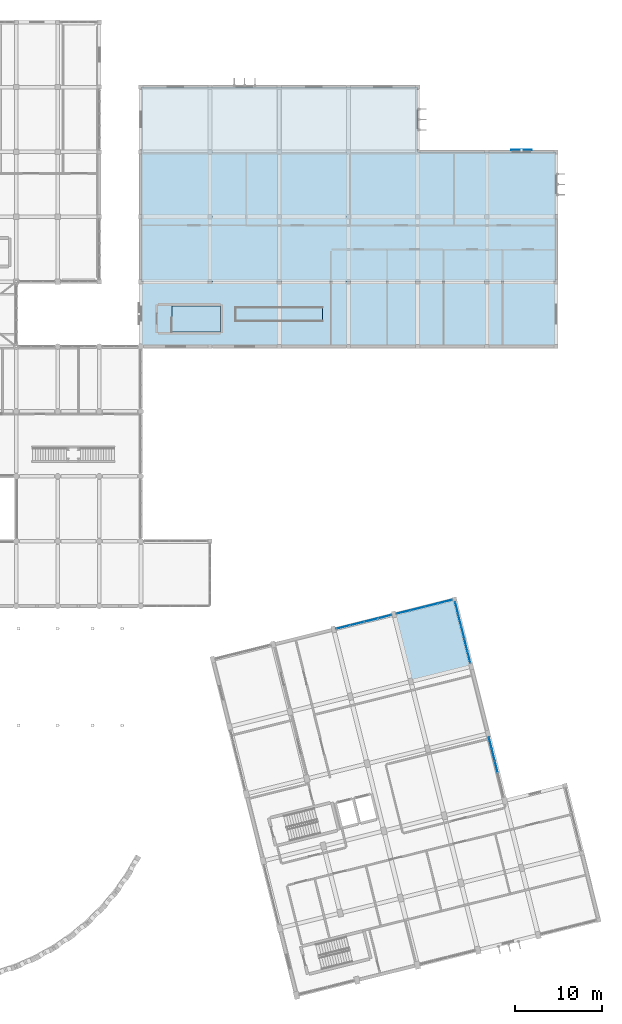
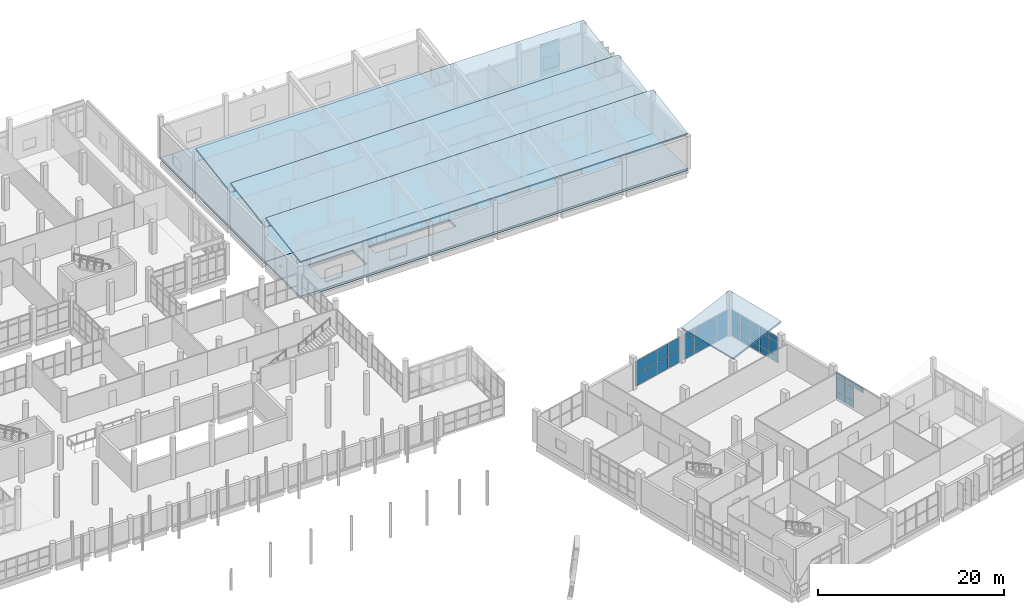
# One storey, part 137 of 164: 43 plates, 6 slabs, 4 elements without a shape of their own.
"""IFC4 building model written with IfcOpenShell, lengths in metres."""

from ifc_helpers import new_model, si_unit, direction, frame, origin, origin_2d, place, context, subcontext, project, spatial, polyline, rectangle, outline, extrude, material, layer, layer_set, type_object, element, aggregate, save


model = new_model("IFC4")

# Units and contexts
model_context = context("Model", 3, precision=1e-05, world=origin(), true_north=direction((0.0, 1.0)))
body_context = subcontext(model_context, "Body", "Model", "MODEL_VIEW")
ifc_project = project(units=[si_unit("LENGTHUNIT", "METRE"), si_unit("AREAUNIT", "SQUARE_METRE"), si_unit("VOLUMEUNIT", "CUBIC_METRE"), si_unit("PLANEANGLEUNIT", "RADIAN"), si_unit("MASSUNIT", "GRAM", prefix="KILO")], contexts=[model_context])

# Site, building, storey
site_placement = place(None, origin())
site = spatial("IfcSite", under=ifc_project, at=site_placement, CompositionType="ELEMENT")
building_placement = place(site_placement, origin())
building = spatial("IfcBuilding", under=site, at=building_placement, Name="Mawjan Specialist Oncology Clinic", CompositionType="ELEMENT")
storey_placement = place(building_placement, frame((0.0, 0.0, 5.0)))
storey = spatial("IfcBuildingStorey", under=building, at=storey_placement, Name="L01", CompositionType="ELEMENT", Elevation=5.0)

# Curtain wall, plates
ifc_material_1 = material(Name="Unitised spectrally selective aluminium curtain wall", Category="aluminium")
ifc_layer_1 = layer(ifc_material_1, 0.179931640625, Name="Unitised spectrally selective aluminium curtain wall", Category="aluminium")
ifc_layer_set_1 = layer_set([ifc_layer_1], Name="Unitised spectrally selective aluminium curtain wall")
curtain_wall_type_1 = type_object("IfcCurtainWallType", Name="CW-48", PredefinedType="NOTDEFINED", material=ifc_layer_set_1)
curtain_wall_1_placement = place(storey_placement, origin())
curtain_wall_1 = element("IfcCurtainWall", 1, at=curtain_wall_1_placement, inside=storey, type_object=curtain_wall_type_1, Name="L01 Unitised Curtain Wall CW-L01-093", PredefinedType="NOTDEFINED")
ifc_material_2 = material(Name="Spectrally selective double low-E glazing", Category="glass")
ifc_layer_2 = layer(ifc_material_2, 0.031982421875, Name="Spectrally selective double low-E glazing", Category="glass")
ifc_layer_set_2 = layer_set([ifc_layer_2], Name="Spectrally selective double low-E glazing")
plate_type_1 = type_object("IfcPlateType", Name="CW-P32", PredefinedType="CURTAIN_PANEL", material=ifc_layer_set_2)
plate_1_placement = place(storey_placement, frame((131.380859375, 43.3662109375, 0.06494140625), z_axis=(0.0, 0.0, 1.0), x_axis=(0.970295688921, 0.241922045422, 0.0)))
plate_1 = element("IfcPlate", 2, at=plate_1_placement, type_object=plate_type_1, Name="CW-48 panel 1.1", PredefinedType="CURTAIN_PANEL", context=body_context, shape_type="SweptSolid", body=[
    extrude(rectangle(XDim=1.5673828125, YDim=0.031982421875, at=origin_2d()), origin(), (0.0, 0.0, 1.0), 1.594970703125),
])
plate_2_placement = place(storey_placement, frame((131.380859375, 43.3662109375, 1.72509765625), z_axis=(0.0, 0.0, 1.0), x_axis=(0.970295688921, 0.241922045422, 0.0)))
plate_2 = element("IfcPlate", 3, at=plate_2_placement, type_object=plate_type_1, Name="CW-48 panel 1.2", PredefinedType="CURTAIN_PANEL", context=body_context, shape_type="SweptSolid", body=[
    extrude(rectangle(XDim=1.5673828125, YDim=0.031982421875, at=origin_2d()), origin(), (0.0, 0.0, 1.0), 1.594970703125),
])
plate_3_placement = place(storey_placement, frame((132.980712890625, 43.76513671875, 0.06494140625), z_axis=(0.0, 0.0, 1.0), x_axis=(0.970295688921, 0.241922045422, 0.0)))
plate_3 = element("IfcPlate", 4, at=plate_3_placement, type_object=plate_type_1, Name="CW-48 panel 2.1", PredefinedType="CURTAIN_PANEL", context=body_context, shape_type="SweptSolid", body=[
    extrude(rectangle(XDim=1.60009765625, YDim=0.031982421875, at=origin_2d()), origin(), (0.0, 0.0, 1.0), 1.594970703125),
])
plate_4_placement = place(storey_placement, frame((132.980712890625, 43.76513671875, 1.72509765625), z_axis=(0.0, 0.0, 1.0), x_axis=(0.970295688921, 0.241922045422, 0.0)))
plate_4 = element("IfcPlate", 5, at=plate_4_placement, type_object=plate_type_1, Name="CW-48 panel 2.2", PredefinedType="CURTAIN_PANEL", context=body_context, shape_type="SweptSolid", body=[
    extrude(rectangle(XDim=1.60009765625, YDim=0.031982421875, at=origin_2d()), origin(), (0.0, 0.0, 1.0), 1.594970703125),
])
plate_5_placement = place(storey_placement, frame((134.59619140625, 44.167724609375, 0.06494140625), z_axis=(0.0, 0.0, 1.0), x_axis=(0.970295688921, 0.241922045422, 0.0)))
plate_5 = element("IfcPlate", 6, at=plate_5_placement, type_object=plate_type_1, Name="CW-48 panel 3.1", PredefinedType="CURTAIN_PANEL", context=body_context, shape_type="SweptSolid", body=[
    extrude(rectangle(XDim=1.60009765625, YDim=0.031982421875, at=origin_2d()), origin(), (0.0, 0.0, 1.0), 1.594970703125),
])
plate_6_placement = place(storey_placement, frame((134.59619140625, 44.167724609375, 1.72509765625), z_axis=(0.0, 0.0, 1.0), x_axis=(0.970295688921, 0.241922045422, 0.0)))
plate_6 = element("IfcPlate", 7, at=plate_6_placement, type_object=plate_type_1, Name="CW-48 panel 3.2", PredefinedType="CURTAIN_PANEL", context=body_context, shape_type="SweptSolid", body=[
    extrude(rectangle(XDim=1.60009765625, YDim=0.031982421875, at=origin_2d()), origin(), (0.0, 0.0, 1.0), 1.594970703125),
])
plate_7_placement = place(storey_placement, frame((136.196044921875, 44.566650390625, 0.06494140625), z_axis=(0.0, 0.0, 1.0), x_axis=(0.970295688921, 0.241922045422, 0.0)))
plate_7 = element("IfcPlate", 8, at=plate_7_placement, type_object=plate_type_1, Name="CW-48 panel 4.1", PredefinedType="CURTAIN_PANEL", context=body_context, shape_type="SweptSolid", body=[
    extrude(rectangle(XDim=1.5673828125, YDim=0.031982421875, at=origin_2d()), origin(), (0.0, 0.0, 1.0), 1.594970703125),
])
plate_8_placement = place(storey_placement, frame((136.196044921875, 44.566650390625, 1.72509765625), z_axis=(0.0, 0.0, 1.0), x_axis=(0.970295688921, 0.241922045422, 0.0)))
plate_8 = element("IfcPlate", 9, at=plate_8_placement, type_object=plate_type_1, Name="CW-48 panel 4.2", PredefinedType="CURTAIN_PANEL", context=body_context, shape_type="SweptSolid", body=[
    extrude(rectangle(XDim=1.5673828125, YDim=0.031982421875, at=origin_2d()), origin(), (0.0, 0.0, 1.0), 1.594970703125),
])
aggregate(curtain_wall_1, [plate_1, plate_2, plate_3, plate_4, plate_5, plate_6, plate_7, plate_8])

ifc_material_3 = material(Name="Unitised spectrally selective aluminium curtain wall", Category="aluminium")
ifc_layer_3 = layer(ifc_material_3, 0.179931640625, Name="Unitised spectrally selective aluminium curtain wall", Category="aluminium")
ifc_layer_set_3 = layer_set([ifc_layer_3], Name="Unitised spectrally selective aluminium curtain wall")
curtain_wall_type_2 = type_object("IfcCurtainWallType", Name="CW-49", PredefinedType="NOTDEFINED", material=ifc_layer_set_3)
curtain_wall_2_placement = place(storey_placement, origin())
curtain_wall_2 = element("IfcCurtainWall", 10, at=curtain_wall_2_placement, inside=storey, type_object=curtain_wall_type_2, Name="L01 Unitised Curtain Wall CW-L01-094", PredefinedType="NOTDEFINED")
plate_9_placement = place(storey_placement, frame((138.366943359375, 45.10791015625, 0.06494140625), z_axis=(0.0, 0.0, 1.0), x_axis=(0.970295715378, 0.241921939309, 0.0)))
plate_9 = element("IfcPlate", 11, at=plate_9_placement, type_object=plate_type_1, Name="CW-49 panel 1.1", PredefinedType="CURTAIN_PANEL", context=body_context, shape_type="SweptSolid", body=[
    extrude(rectangle(XDim=1.5673828125, YDim=0.031982421875, at=origin_2d()), origin(), (0.0, 0.0, 1.0), 0.802490234375),
])
plate_10_placement = place(storey_placement, frame((138.366943359375, 45.10791015625, 0.932373046875), z_axis=(0.0, 0.0, 1.0), x_axis=(0.970295715378, 0.241921939309, 0.0)))
plate_10 = element("IfcPlate", 12, at=plate_10_placement, type_object=plate_type_1, Name="CW-49 panel 1.2", PredefinedType="CURTAIN_PANEL", context=body_context, shape_type="SweptSolid", body=[
    extrude(rectangle(XDim=1.5673828125, YDim=0.031982421875, at=origin_2d()), origin(), (0.0, 0.0, 1.0), 1.77001953125),
])
plate_11_placement = place(storey_placement, frame((138.366943359375, 45.10791015625, 2.767578125), z_axis=(0.0, 0.0, 1.0), x_axis=(0.970295715378, 0.241921939309, 0.0)))
plate_11 = element("IfcPlate", 13, at=plate_11_placement, type_object=plate_type_1, Name="CW-49 panel 1.3", PredefinedType="CURTAIN_PANEL", context=body_context, shape_type="SweptSolid", body=[
    extrude(rectangle(XDim=1.5673828125, YDim=0.031982421875, at=origin_2d()), origin(), (0.0, 0.0, 1.0), 0.652587890625),
])
plate_12_placement = place(storey_placement, frame((139.966796875, 45.5068359375, 0.06494140625), z_axis=(0.0, 0.0, 1.0), x_axis=(0.970295715378, 0.241921939309, 0.0)))
plate_12 = element("IfcPlate", 14, at=plate_12_placement, type_object=plate_type_1, Name="CW-49 panel 2.1", PredefinedType="CURTAIN_PANEL", context=body_context, shape_type="SweptSolid", body=[
    extrude(rectangle(XDim=1.60009765625, YDim=0.031982421875, at=origin_2d()), origin(), (0.0, 0.0, 1.0), 0.802490234375),
])
plate_13_placement = place(storey_placement, frame((139.966796875, 45.5068359375, 0.932373046875), z_axis=(0.0, 0.0, 1.0), x_axis=(0.970295715378, 0.241921939309, 0.0)))
plate_13 = element("IfcPlate", 15, at=plate_13_placement, type_object=plate_type_1, Name="CW-49 panel 2.2", PredefinedType="CURTAIN_PANEL", context=body_context, shape_type="SweptSolid", body=[
    extrude(rectangle(XDim=1.60009765625, YDim=0.031982421875, at=origin_2d()), origin(), (0.0, 0.0, 1.0), 1.77001953125),
])
plate_14_placement = place(storey_placement, frame((139.966796875, 45.5068359375, 2.767578125), z_axis=(0.0, 0.0, 1.0), x_axis=(0.970295715378, 0.241921939309, 0.0)))
plate_14 = element("IfcPlate", 16, at=plate_14_placement, type_object=plate_type_1, Name="CW-49 panel 2.3", PredefinedType="CURTAIN_PANEL", context=body_context, shape_type="SweptSolid", body=[
    extrude(rectangle(XDim=1.60009765625, YDim=0.031982421875, at=origin_2d()), origin(), (0.0, 0.0, 1.0), 0.652587890625),
])
plate_15_placement = place(storey_placement, frame((141.582275390625, 45.90966796875, 0.06494140625), z_axis=(0.0, 0.0, 1.0), x_axis=(0.970295715378, 0.241921939309, 0.0)))
plate_15 = element("IfcPlate", 17, at=plate_15_placement, type_object=plate_type_1, Name="CW-49 panel 3.1", PredefinedType="CURTAIN_PANEL", context=body_context, shape_type="SweptSolid", body=[
    extrude(rectangle(XDim=1.60009765625, YDim=0.031982421875, at=origin_2d()), origin(), (0.0, 0.0, 1.0), 0.802490234375),
])
plate_16_placement = place(storey_placement, frame((141.582275390625, 45.90966796875, 0.932373046875), z_axis=(0.0, 0.0, 1.0), x_axis=(0.970295715378, 0.241921939309, 0.0)))
plate_16 = element("IfcPlate", 18, at=plate_16_placement, type_object=plate_type_1, Name="CW-49 panel 3.2", PredefinedType="CURTAIN_PANEL", context=body_context, shape_type="SweptSolid", body=[
    extrude(rectangle(XDim=1.60009765625, YDim=0.031982421875, at=origin_2d()), origin(), (0.0, 0.0, 1.0), 1.77001953125),
])
plate_17_placement = place(storey_placement, frame((141.582275390625, 45.90966796875, 2.767578125), z_axis=(0.0, 0.0, 1.0), x_axis=(0.970295715378, 0.241921939309, 0.0)))
plate_17 = element("IfcPlate", 19, at=plate_17_placement, type_object=plate_type_1, Name="CW-49 panel 3.3", PredefinedType="CURTAIN_PANEL", context=body_context, shape_type="SweptSolid", body=[
    extrude(rectangle(XDim=1.60009765625, YDim=0.031982421875, at=origin_2d()), origin(), (0.0, 0.0, 1.0), 0.652587890625),
])
plate_18_placement = place(storey_placement, frame((143.18212890625, 46.30859375, 0.06494140625), z_axis=(0.0, 0.0, 1.0), x_axis=(0.970295715378, 0.241921939309, 0.0)))
plate_18 = element("IfcPlate", 20, at=plate_18_placement, type_object=plate_type_1, Name="CW-49 panel 4.1", PredefinedType="CURTAIN_PANEL", context=body_context, shape_type="SweptSolid", body=[
    extrude(rectangle(XDim=1.5673828125, YDim=0.031982421875, at=origin_2d()), origin(), (0.0, 0.0, 1.0), 0.802490234375),
])
plate_19_placement = place(storey_placement, frame((143.18212890625, 46.30859375, 0.932373046875), z_axis=(0.0, 0.0, 1.0), x_axis=(0.970295715378, 0.241921939309, 0.0)))
plate_19 = element("IfcPlate", 21, at=plate_19_placement, type_object=plate_type_1, Name="CW-49 panel 4.2", PredefinedType="CURTAIN_PANEL", context=body_context, shape_type="SweptSolid", body=[
    extrude(rectangle(XDim=1.5673828125, YDim=0.031982421875, at=origin_2d()), origin(), (0.0, 0.0, 1.0), 1.77001953125),
])
plate_20_placement = place(storey_placement, frame((143.18212890625, 46.30859375, 2.767578125), z_axis=(0.0, 0.0, 1.0), x_axis=(0.970295715378, 0.241921939309, 0.0)))
plate_20 = element("IfcPlate", 22, at=plate_20_placement, type_object=plate_type_1, Name="CW-49 panel 4.3", PredefinedType="CURTAIN_PANEL", context=body_context, shape_type="SweptSolid", body=[
    extrude(rectangle(XDim=1.5673828125, YDim=0.031982421875, at=origin_2d()), origin(), (0.0, 0.0, 1.0), 0.652587890625),
])
aggregate(curtain_wall_2, [plate_9, plate_10, plate_11, plate_12, plate_13, plate_14, plate_15, plate_16, plate_17, plate_18, plate_19, plate_20])

ifc_material_4 = material(Name="Unitised spectrally selective aluminium curtain wall", Category="aluminium")
ifc_layer_4 = layer(ifc_material_4, 0.179931640625, Name="Unitised spectrally selective aluminium curtain wall", Category="aluminium")
ifc_layer_set_4 = layer_set([ifc_layer_4], Name="Unitised spectrally selective aluminium curtain wall")
curtain_wall_type_3 = type_object("IfcCurtainWallType", Name="CW-50", PredefinedType="NOTDEFINED", material=ifc_layer_set_4)
curtain_wall_3_placement = place(storey_placement, origin())
curtain_wall_3 = element("IfcCurtainWall", 23, at=curtain_wall_3_placement, inside=storey, type_object=curtain_wall_type_3, Name="L01 Unitised Curtain Wall CW-L01-095", PredefinedType="NOTDEFINED")
plate_21_placement = place(storey_placement, frame((144.514404296875, 45.589599609375, 0.06494140625), z_axis=(0.0, 0.0, 1.0), x_axis=(0.241922143797, -0.970295664393, 0.0)))
plate_21 = element("IfcPlate", 24, at=plate_21_placement, type_object=plate_type_1, Name="CW-50 panel 1.1", PredefinedType="CURTAIN_PANEL", context=body_context, shape_type="SweptSolid", body=[
    extrude(rectangle(XDim=1.369384765625, YDim=0.031982421875, at=origin_2d()), origin(), (0.0, 0.0, 1.0), 0.802490234375),
])
plate_22_placement = place(storey_placement, frame((144.514404296875, 45.589599609375, 0.9326171875), z_axis=(0.0, 0.0, 1.0), x_axis=(0.241922143797, -0.970295664393, 0.0)))
plate_22 = element("IfcPlate", 25, at=plate_22_placement, type_object=plate_type_1, Name="CW-50 panel 1.2", PredefinedType="CURTAIN_PANEL", context=body_context, shape_type="SweptSolid", body=[
    extrude(rectangle(XDim=1.369384765625, YDim=0.031982421875, at=origin_2d()), origin(), (0.0, 0.0, 1.0), 1.820068359375),
])
plate_23_placement = place(storey_placement, frame((144.514404296875, 45.589599609375, 2.8173828125), z_axis=(0.0, 0.0, 1.0), x_axis=(0.241922143797, -0.970295664393, 0.0)))
plate_23 = element("IfcPlate", 26, at=plate_23_placement, type_object=plate_type_1, Name="CW-50 panel 1.3", PredefinedType="CURTAIN_PANEL", context=body_context, shape_type="SweptSolid", body=[
    extrude(rectangle(XDim=1.369384765625, YDim=0.031982421875, at=origin_2d()), origin(), (0.0, 0.0, 1.0), 0.652587890625),
])
plate_24_placement = place(storey_placement, frame((144.865234375, 44.18212890625, 0.06494140625), z_axis=(0.0, 0.0, 1.0), x_axis=(0.241922143797, -0.970295664393, 0.0)))
plate_24 = element("IfcPlate", 27, at=plate_24_placement, type_object=plate_type_1, Name="CW-50 panel 2.1", PredefinedType="CURTAIN_PANEL", context=body_context, shape_type="SweptSolid", body=[
    extrude(rectangle(XDim=1.402099609375, YDim=0.031982421875, at=origin_2d()), origin(), (0.0, 0.0, 1.0), 0.802490234375),
])
plate_25_placement = place(storey_placement, frame((144.865234375, 44.18212890625, 0.9326171875), z_axis=(0.0, 0.0, 1.0), x_axis=(0.241922143797, -0.970295664393, 0.0)))
plate_25 = element("IfcPlate", 28, at=plate_25_placement, type_object=plate_type_1, Name="CW-50 panel 2.2", PredefinedType="CURTAIN_PANEL", context=body_context, shape_type="SweptSolid", body=[
    extrude(rectangle(XDim=1.402099609375, YDim=0.031982421875, at=origin_2d()), origin(), (0.0, 0.0, 1.0), 1.820068359375),
])
plate_26_placement = place(storey_placement, frame((144.865234375, 44.18212890625, 2.8173828125), z_axis=(0.0, 0.0, 1.0), x_axis=(0.241922143797, -0.970295664393, 0.0)))
plate_26 = element("IfcPlate", 29, at=plate_26_placement, type_object=plate_type_1, Name="CW-50 panel 2.3", PredefinedType="CURTAIN_PANEL", context=body_context, shape_type="SweptSolid", body=[
    extrude(rectangle(XDim=1.402099609375, YDim=0.031982421875, at=origin_2d()), origin(), (0.0, 0.0, 1.0), 0.652587890625),
])
plate_27_placement = place(storey_placement, frame((145.22021484375, 42.758544921875, 0.06494140625), z_axis=(0.0, 0.0, 1.0), x_axis=(0.241922143797, -0.970295664393, 0.0)))
plate_27 = element("IfcPlate", 30, at=plate_27_placement, type_object=plate_type_1, Name="CW-50 panel 3.1", PredefinedType="CURTAIN_PANEL", context=body_context, shape_type="SweptSolid", body=[
    extrude(rectangle(XDim=1.402099609375, YDim=0.031982421875, at=origin_2d()), origin(), (0.0, 0.0, 1.0), 0.802490234375),
])
plate_28_placement = place(storey_placement, frame((145.22021484375, 42.758544921875, 0.9326171875), z_axis=(0.0, 0.0, 1.0), x_axis=(0.241922143797, -0.970295664393, 0.0)))
plate_28 = element("IfcPlate", 31, at=plate_28_placement, type_object=plate_type_1, Name="CW-50 panel 3.2", PredefinedType="CURTAIN_PANEL", context=body_context, shape_type="SweptSolid", body=[
    extrude(rectangle(XDim=1.402099609375, YDim=0.031982421875, at=origin_2d()), origin(), (0.0, 0.0, 1.0), 1.820068359375),
])
plate_29_placement = place(storey_placement, frame((145.22021484375, 42.758544921875, 2.8173828125), z_axis=(0.0, 0.0, 1.0), x_axis=(0.241922143797, -0.970295664393, 0.0)))
plate_29 = element("IfcPlate", 32, at=plate_29_placement, type_object=plate_type_1, Name="CW-50 panel 3.3", PredefinedType="CURTAIN_PANEL", context=body_context, shape_type="SweptSolid", body=[
    extrude(rectangle(XDim=1.402099609375, YDim=0.031982421875, at=origin_2d()), origin(), (0.0, 0.0, 1.0), 0.652587890625),
])
plate_30_placement = place(storey_placement, frame((145.5751953125, 41.335205078125, 0.06494140625), z_axis=(0.0, 0.0, 1.0), x_axis=(0.241922143797, -0.970295664393, 0.0)))
plate_30 = element("IfcPlate", 33, at=plate_30_placement, type_object=plate_type_1, Name="CW-50 panel 4.1", PredefinedType="CURTAIN_PANEL", context=body_context, shape_type="SweptSolid", body=[
    extrude(rectangle(XDim=1.402099609375, YDim=0.031982421875, at=origin_2d()), origin(), (0.0, 0.0, 1.0), 0.802490234375),
])
plate_31_placement = place(storey_placement, frame((145.5751953125, 41.335205078125, 0.9326171875), z_axis=(0.0, 0.0, 1.0), x_axis=(0.241922143797, -0.970295664393, 0.0)))
plate_31 = element("IfcPlate", 34, at=plate_31_placement, type_object=plate_type_1, Name="CW-50 panel 4.2", PredefinedType="CURTAIN_PANEL", context=body_context, shape_type="SweptSolid", body=[
    extrude(rectangle(XDim=1.402099609375, YDim=0.031982421875, at=origin_2d()), origin(), (0.0, 0.0, 1.0), 1.820068359375),
])
plate_32_placement = place(storey_placement, frame((145.5751953125, 41.335205078125, 2.8173828125), z_axis=(0.0, 0.0, 1.0), x_axis=(0.241922143797, -0.970295664393, 0.0)))
plate_32 = element("IfcPlate", 35, at=plate_32_placement, type_object=plate_type_1, Name="CW-50 panel 4.3", PredefinedType="CURTAIN_PANEL", context=body_context, shape_type="SweptSolid", body=[
    extrude(rectangle(XDim=1.402099609375, YDim=0.031982421875, at=origin_2d()), origin(), (0.0, 0.0, 1.0), 0.652587890625),
])
plate_33_placement = place(storey_placement, frame((145.926025390625, 39.927490234375, 0.06494140625), z_axis=(0.0, 0.0, 1.0), x_axis=(0.241922143797, -0.970295664393, 0.0)))
plate_33 = element("IfcPlate", 36, at=plate_33_placement, type_object=plate_type_1, Name="CW-50 panel 5.1", PredefinedType="CURTAIN_PANEL", context=body_context, shape_type="SweptSolid", body=[
    extrude(rectangle(XDim=1.369384765625, YDim=0.031982421875, at=origin_2d()), origin(), (0.0, 0.0, 1.0), 0.802490234375),
])
plate_34_placement = place(storey_placement, frame((145.926025390625, 39.927490234375, 0.9326171875), z_axis=(0.0, 0.0, 1.0), x_axis=(0.241922143797, -0.970295664393, 0.0)))
plate_34 = element("IfcPlate", 37, at=plate_34_placement, type_object=plate_type_1, Name="CW-50 panel 5.2", PredefinedType="CURTAIN_PANEL", context=body_context, shape_type="SweptSolid", body=[
    extrude(rectangle(XDim=1.369384765625, YDim=0.031982421875, at=origin_2d()), origin(), (0.0, 0.0, 1.0), 1.820068359375),
])
plate_35_placement = place(storey_placement, frame((145.926025390625, 39.927490234375, 2.8173828125), z_axis=(0.0, 0.0, 1.0), x_axis=(0.241922143797, -0.970295664393, 0.0)))
plate_35 = element("IfcPlate", 38, at=plate_35_placement, type_object=plate_type_1, Name="CW-50 panel 5.3", PredefinedType="CURTAIN_PANEL", context=body_context, shape_type="SweptSolid", body=[
    extrude(rectangle(XDim=1.369384765625, YDim=0.031982421875, at=origin_2d()), origin(), (0.0, 0.0, 1.0), 0.652587890625),
])
aggregate(curtain_wall_3, [plate_21, plate_22, plate_23, plate_24, plate_25, plate_26, plate_27, plate_28, plate_29, plate_30, plate_31, plate_32, plate_33, plate_34, plate_35])

ifc_material_5 = material(Name="Unitised spectrally selective aluminium curtain wall", Category="aluminium")
ifc_layer_5 = layer(ifc_material_5, 0.179931640625, Name="Unitised spectrally selective aluminium curtain wall", Category="aluminium")
ifc_layer_set_5 = layer_set([ifc_layer_5], Name="Unitised spectrally selective aluminium curtain wall")
curtain_wall_type_4 = type_object("IfcCurtainWallType", Name="CW-51", PredefinedType="NOTDEFINED", material=ifc_layer_set_5)
curtain_wall_4_placement = place(storey_placement, origin())
curtain_wall_4 = element("IfcCurtainWall", 39, at=curtain_wall_4_placement, inside=storey, type_object=curtain_wall_type_4, Name="L01 Unitised Curtain Wall CW-L01-096", PredefinedType="NOTDEFINED")
plate_36_placement = place(storey_placement, frame((148.4111328125, 29.960693359375, 0.06494140625), z_axis=(0.0, 0.0, 1.0), x_axis=(0.241922037344, -0.970295690935, 0.0)))
plate_36 = element("IfcPlate", 40, at=plate_36_placement, type_object=plate_type_1, Name="CW-51 panel 1.1", PredefinedType="CURTAIN_PANEL", context=body_context, shape_type="SweptSolid", body=[
    extrude(rectangle(XDim=1.33447265625, YDim=0.031982421875, at=origin_2d()), origin(), (0.0, 0.0, 1.0), 0.802490234375),
])
plate_37_placement = place(storey_placement, frame((148.4111328125, 29.960693359375, 0.932373046875), z_axis=(0.0, 0.0, 1.0), x_axis=(0.241922037344, -0.970295690935, 0.0)))
plate_37 = element("IfcPlate", 41, at=plate_37_placement, type_object=plate_type_1, Name="CW-51 panel 1.2", PredefinedType="CURTAIN_PANEL", context=body_context, shape_type="SweptSolid", body=[
    extrude(rectangle(XDim=1.33447265625, YDim=0.031982421875, at=origin_2d()), origin(), (0.0, 0.0, 1.0), 1.77001953125),
])
plate_38_placement = place(storey_placement, frame((148.4111328125, 29.960693359375, 2.767578125), z_axis=(0.0, 0.0, 1.0), x_axis=(0.241922037344, -0.970295690935, 0.0)))
plate_38 = element("IfcPlate", 42, at=plate_38_placement, type_object=plate_type_1, Name="CW-51 panel 1.3", PredefinedType="CURTAIN_PANEL", context=body_context, shape_type="SweptSolid", body=[
    extrude(rectangle(XDim=1.33447265625, YDim=0.031982421875, at=origin_2d()), origin(), (0.0, 0.0, 1.0), 0.652587890625),
])
plate_39_placement = place(storey_placement, frame((148.753662109375, 28.5869140625, 0.06494140625), z_axis=(0.0, 0.0, 1.0), x_axis=(0.241922037344, -0.970295690935, 0.0)))
plate_39 = element("IfcPlate", 43, at=plate_39_placement, type_object=plate_type_1, Name="CW-51 panel 2.1", PredefinedType="CURTAIN_PANEL", context=body_context, shape_type="SweptSolid", body=[
    extrude(rectangle(XDim=1.366943359375, YDim=0.031982421875, at=origin_2d()), origin(), (0.0, 0.0, 1.0), 0.802490234375),
])
plate_40_placement = place(storey_placement, frame((148.753662109375, 28.5869140625, 0.932373046875), z_axis=(0.0, 0.0, 1.0), x_axis=(0.241922037344, -0.970295690935, 0.0)))
plate_40 = element("IfcPlate", 44, at=plate_40_placement, type_object=plate_type_1, Name="CW-51 panel 2.2", PredefinedType="CURTAIN_PANEL", context=body_context, shape_type="SweptSolid", body=[
    extrude(rectangle(XDim=1.366943359375, YDim=0.031982421875, at=origin_2d()), origin(), (0.0, 0.0, 1.0), 1.77001953125),
])
plate_41_placement = place(storey_placement, frame((148.753662109375, 28.5869140625, 2.767578125), z_axis=(0.0, 0.0, 1.0), x_axis=(0.241922037344, -0.970295690935, 0.0)))
plate_41 = element("IfcPlate", 45, at=plate_41_placement, type_object=plate_type_1, Name="CW-51 panel 2.3", PredefinedType="CURTAIN_PANEL", context=body_context, shape_type="SweptSolid", body=[
    extrude(rectangle(XDim=1.366943359375, YDim=0.031982421875, at=origin_2d()), origin(), (0.0, 0.0, 1.0), 0.652587890625),
])
plate_42_placement = place(storey_placement, frame((149.10009765625, 27.197509765625, 2.767578125), z_axis=(0.0, 0.0, 1.0), x_axis=(0.241922037344, -0.970295690935, 0.0)))
plate_42 = element("IfcPlate", 46, at=plate_42_placement, type_object=plate_type_1, Name="CW-51 panel 3.3", PredefinedType="CURTAIN_PANEL", context=body_context, shape_type="SweptSolid", body=[
    extrude(rectangle(XDim=1.366943359375, YDim=0.031982421875, at=origin_2d()), origin(), (0.0, 0.0, 1.0), 0.652587890625),
])
aggregate(curtain_wall_4, [plate_36, plate_37, plate_38, plate_39, plate_40, plate_41, plate_42])

# Slabs
ifc_material_6 = material(Name="Concrete C35/45", Category="concrete")
ifc_layer_6 = layer(ifc_material_6, 0.300048828125, Name="Concrete C35/45", Category="concrete")
ifc_layer_set_6 = layer_set([ifc_layer_6], Name="Concrete C35/45")
slab_type_1 = type_object("IfcSlabType", Name="FS-300", PredefinedType="FLOOR", material=ifc_layer_set_6)
slab_1_placement = place(storey_placement, frame((0.0, 0.0, -0.300048828125)))
element("IfcSlab", 47, at=slab_1_placement, inside=storey, type_object=slab_type_1, Name="L01 Diagnostic Imaging Pavilion Slab SLB-V2S-L01", PredefinedType="FLOOR", context=body_context, shape_type="SweptSolid", body=[
    extrude(outline(polyline([(108.0, 75.800048828125), (156.0, 75.800048828125), (156.0, 83.300048828125), (108.0, 83.300048828125), (108.0, 75.800048828125)]), holes=[polyline([(111.60009765625, 77.5), (117.199951171875, 77.5), (117.199951171875, 80.5), (111.60009765625, 80.5), (111.60009765625, 77.5)]), polyline([(119.0, 78.824951171875), (129.0, 78.824951171875), (129.0, 80.27490234375), (119.0, 80.27490234375), (119.0, 78.824951171875)])]), origin(), (0.0, 0.0, 1.0), 0.300048828125),
])
slab_2_placement = place(storey_placement, frame((0.0, 0.0, -0.300048828125)))
element("IfcSlab", 48, at=slab_2_placement, inside=storey, type_object=slab_type_1, Name="L01 Diagnostic Imaging Pavilion Slab SLB-V2-L01", PredefinedType="FLOOR", context=body_context, shape_type="SweptSolid", body=[
    extrude(outline(polyline([(108.0, 83.300048828125), (156.0, 83.300048828125), (156.0, 98.300048828125), (140.0, 98.300048828125), (140.0, 105.800048828125), (108.0, 105.800048828125), (108.0, 83.300048828125)])), origin(), (0.0, 0.0, 1.0), 0.300048828125),
])
ifc_material_7 = material(Name="Precast concrete C45/55", Category="concrete")
ifc_layer_7 = layer(ifc_material_7, 0.18994140625, Name="Precast concrete C45/55", Category="concrete")
ifc_layer_set_7 = layer_set([ifc_layer_7], Name="Precast concrete C45/55")
slab_type_2 = type_object("IfcSlabType", Name="RF-SAW190", PredefinedType="ROOF", material=ifc_layer_set_7)
for number, where, z_axis, x_axis, name in (
    (49, (108.0, 75.81201171875, 4.550048828125), (0.0, -0.158477153608, 0.987362644515), (1.0, 0.0, 0.0), "Diagnostic Sawtooth Roof Bay 1"),
    (50, (108.0, 83.31201171875, 4.550048828125), (0.0, -0.158477153608, 0.987362644515), (1.0, 0.0, 0.0), "Diagnostic Sawtooth Roof Bay 2"),
    (51, (108.0, 90.81201171875, 4.550048828125), (0.0, -0.158477153608, 0.987362644515), (1.0, 0.0, 0.0), "Diagnostic Sawtooth Roof Bay 3"),
):
    element("IfcSlab", number, at=place(storey_placement, frame(where, z_axis=z_axis, x_axis=x_axis)), inside=storey, type_object=slab_type_2, Name=name, PredefinedType="ROOF", context=body_context, shape_type="SweptSolid", body=[
        extrude(outline(polyline([(0.0, 0.0), (48.0, 0.0), (48.0, 7.571761257405216), (0.0, 7.571761257405216), (0.0, 0.0)])), origin(), (0.0, 0.0, -1.0), 0.18994140625),
    ])
ifc_material_8 = material(Name="Concrete C35/45", Category="concrete")
ifc_layer_8 = layer(ifc_material_8, 0.219970703125, Name="Concrete C35/45", Category="concrete")
ifc_layer_set_8 = layer_set([ifc_layer_8], Name="Concrete C35/45")
slab_type_3 = type_object("IfcSlabType", Name="RF-SLP220", PredefinedType="ROOF", material=ifc_layer_set_8)
slab_3_placement = place(storey_placement, frame((139.2314453125, 37.09912109375, 4.429931640625), z_axis=(-0.184437794821, -0.045985144883, 0.981767827081), x_axis=(-0.241902759832, 0.970300497152, 3.460449e-06)))
element("IfcSlab", 52, at=slab_3_placement, inside=storey, type_object=slab_type_3, Name="Research Wing L01 North-East Sloped Roof", PredefinedType="ROOF", context=body_context, shape_type="SweptSolid", body=[
    extrude(outline(polyline([(0.0, 0.0), (7.980169846110559, 4.440892098500626e-16), (7.9801801460913735, -7.313129858396247), (0.0001881314596533947, -7.313420410563846), (0.0, 0.0)])), origin(), (0.0, 0.0, -1.0), 0.219970703125),
])

# Plate
ifc_material_9 = material(Name="Perforated coral-toned GFRC rawshan screen", Category="stone")
ifc_layer_9 = layer(ifc_material_9, 0.06005859375, Name="Perforated coral-toned GFRC rawshan screen", Category="stone")
ifc_layer_set_9 = layer_set([ifc_layer_9], Name="Perforated coral-toned GFRC rawshan screen")
plate_type_2 = type_object("IfcPlateType", Name="RWS-60", PredefinedType="SHEET", material=ifc_layer_set_9)
plate_43_placement = place(storey_placement, frame((152.0, 98.4970703125, 0.0), z_axis=(0.0, 0.0, 1.0), x_axis=(1.0, 0.0, 0.0)))
element("IfcPlate", 53, at=plate_43_placement, inside=storey, type_object=plate_type_2, Name="L01 Perforated Rawshan Screen Panel 002", PredefinedType="SHEET", context=body_context, shape_type="SweptSolid", body=[
    extrude(rectangle(XDim=2.39990234375, YDim=0.06005859375, at=origin_2d()), origin(), (0.0, 0.0, 1.0), 4.199951171875),
])

save(model, "model.ifc")
